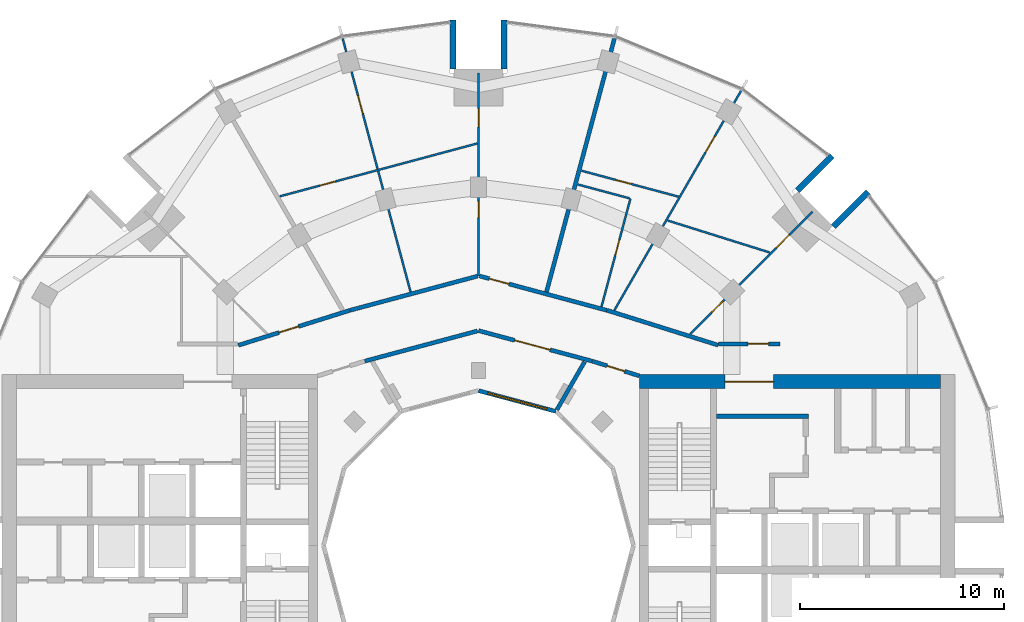
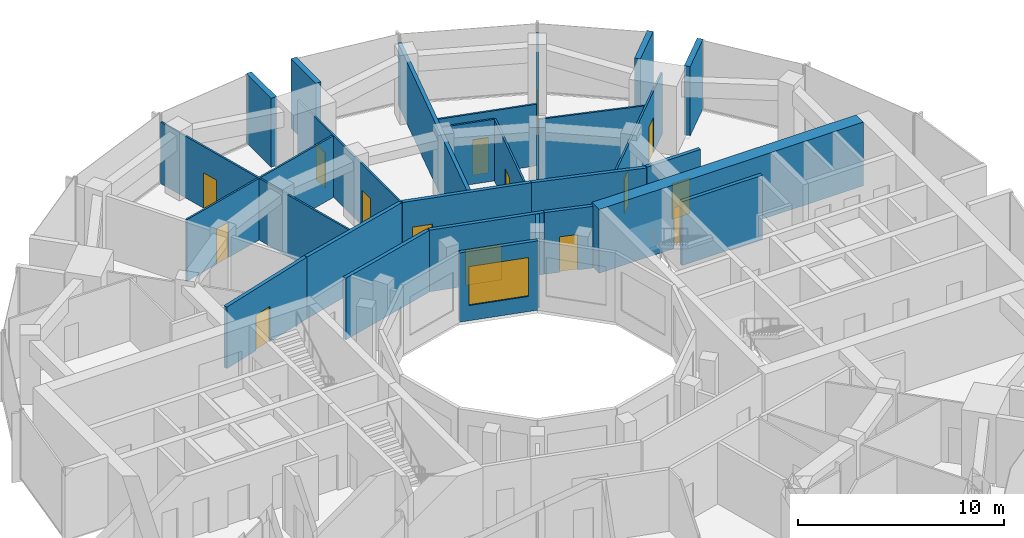
# One storey, part 12 of 15: 26 walls, 15 doors, 1 window, 16 openings.
"""IFC4 building model written with IfcOpenShell, lengths in metres."""

from ifc_helpers import new_model, si_unit, direction, frame, frame_2d, origin, place, context, subcontext, project, spatial, rectangle, extrude, material, layer, layer_set, type_object, element, fill, save


model = new_model("IFC4")

# Units and contexts
model_context = context("Model", 3, precision=1e-05, world=origin(), true_north=direction((0.0, 1.0)))
body_context = subcontext(model_context, "Body", "Model", "MODEL_VIEW")
ifc_project = project(units=[si_unit("LENGTHUNIT", "METRE"), si_unit("AREAUNIT", "SQUARE_METRE"), si_unit("VOLUMEUNIT", "CUBIC_METRE"), si_unit("PLANEANGLEUNIT", "RADIAN"), si_unit("MASSUNIT", "GRAM", prefix="KILO")], contexts=[model_context])

# Site, building, storey
site_placement = place(None, origin())
site = spatial("IfcSite", under=ifc_project, at=site_placement, CompositionType="ELEMENT")
building_placement = place(site_placement, origin())
building = spatial("IfcBuilding", under=site, at=building_placement, Name="Torre Brocal", CompositionType="ELEMENT")
storey_placement = place(building_placement, frame((0.0, 0.0, 178.199951171875)))
storey = spatial("IfcBuildingStorey", under=building, at=storey_placement, Name="L41", CompositionType="ELEMENT", Elevation=178.199951171875)

# Wall
ifc_material_1 = material(Name="Concrete C70", Category="concrete")
ifc_layer_1 = layer(ifc_material_1, 0.199951171875)
ifc_layer_set_1 = layer_set([ifc_layer_1], Name="Concrete C70")
wall_type_1 = type_object("IfcWallType", Name="CORE WALL 200 C70", PredefinedType="SHEAR", material=ifc_layer_set_1)
wall_1_placement = place(storey_placement, frame((91.699951171875, 81.35009765625, 0.0), z_axis=(0.0, 0.0, 1.0), x_axis=(1.0, 0.0, 0.0)))
element("IfcWall", 1, at=wall_1_placement, inside=storey, type_object=wall_type_1, Name="Wall CW200-70", PredefinedType="SHEAR", context=body_context, shape_type="SweptSolid", body=[
    extrude(rectangle(XDim=4.5, YDim=0.199951171875, at=frame_2d((2.25, 0.0))), origin(), (0.0, 0.0, 1.0), 3.780029296875),
])

# Wall, opening, door
ifc_material_2 = material(Name="Concrete C70", Category="concrete")
ifc_layer_2 = layer(ifc_material_2, 0.699951171875)
ifc_layer_set_2 = layer_set([ifc_layer_2], Name="Concrete C70")
wall_type_2 = type_object("IfcWallType", Name="CORE WALL 700 C70", PredefinedType="SHEAR", material=ifc_layer_set_2)
wall_2_placement = place(storey_placement, frame((87.89990234375, 83.050048828125, 0.0), z_axis=(0.0, 0.0, 1.0), x_axis=(1.0, 0.0, 0.0)))
wall_2 = element("IfcWall", 2, at=wall_2_placement, inside=storey, type_object=wall_type_2, Name="Wall CW700-70", PredefinedType="SHEAR", context=body_context, shape_type="SweptSolid", body=[
    extrude(rectangle(XDim=14.800048828125, YDim=0.699951171875, at=frame_2d((7.39990234375, 0.0))), origin(), (0.0, 0.0, 1.0), 3.780029296875),
])
opening_1_placement = place(wall_2_placement, frame((4.199951171875, 0.0, 0.0)))
opening_1 = element("IfcOpeningElement", 3, at=opening_1_placement, cuts=wall_2, Name="Opening E-D12", PredefinedType="OPENING", context=body_context, shape_type="SweptSolid", body=[
    extrude(rectangle(XDim=2.39990234375, YDim=2.39990234375, at=frame_2d((1.199951171875, 1.199951171875))), frame((0.0, 0.35986328125, 0.0), z_axis=(0.0, -1.0, 0.0), x_axis=(1.0, 0.0, 0.0)), (0.0, 0.0, 1.0), 0.719970703125),
])
ifc_material_3 = material(Name="Steel A653", Category="steel")
door_type_1 = type_object("IfcDoorType", Name="DOUBLE FIRE DOOR FD90 2400X2400", OperationType="DOUBLE_DOOR_SINGLE_SWING", PredefinedType="DOOR", material=ifc_material_3)
door_1_placement = place(opening_1_placement, frame((2.39990234375, 0.0, 0.0), z_axis=(0.0, 0.0, 1.0), x_axis=(-1.0, 0.0, 0.0)))
door_1 = element("IfcDoor", 4, at=door_1_placement, inside=storey, type_object=door_type_1, Name="Door E-D12", OperationType="DOUBLE_DOOR_SINGLE_SWING", OverallHeight=2.39990234375, OverallWidth=2.39990234375, PredefinedType="DOOR", context=body_context, shape_type="SweptSolid", body=[
    extrude(rectangle(XDim=2.39990234375, YDim=2.39990234375, at=frame_2d((1.199951171875, 1.199951171875))), frame((0.0, 0.02490234375, 0.0), z_axis=(0.0, -1.0, 0.0), x_axis=(1.0, 0.0, 0.0)), (0.0, 0.0, 1.0), 0.050048828125),
])
fill(opening_1, door_1)

# Walls
ifc_material_4 = material(Name="Concrete C70", Category="concrete")
ifc_layer_3 = layer(ifc_material_4, 0.300048828125)
ifc_layer_set_3 = layer_set([ifc_layer_3], Name="Concrete C70")
wall_type_3 = type_object("IfcWallType", Name="NOTCH RETURN WALL 300 C70", PredefinedType="NOTDEFINED", material=ifc_layer_set_3)
for number, where, z_axis, x_axis, name in (
    (5, (97.43017578125, 90.662353515625, 0.0), (0.0, 0.0, 1.0), (0.707106781187, 0.707106781187, 0.0), "NOTCH RETURN WALL"),
    (6, (95.662353515625, 92.43017578125, 0.0), (0.0, 0.0, 1.0), (0.707106781187, 0.707106781187, 0.0), "NOTCH RETURN WALL"),
    (7, (81.25, 98.39990234375, 0.0), (0.0, 0.0, 1.0), (0.0, 1.0, 0.0), "NOTCH RETURN WALL"),
    (8, (78.75, 98.39990234375, 0.0), (0.0, 0.0, 1.0), (0.0, 1.0, 0.0), "NOTCH RETURN WALL"),
):
    element("IfcWall", number, at=place(storey_placement, frame(where, z_axis=z_axis, x_axis=x_axis)), inside=storey, type_object=wall_type_3, Name=name, PredefinedType="NOTDEFINED", context=body_context, shape_type="SweptSolid", body=[
        extrude(rectangle(XDim=2.415771484375, YDim=0.300048828125, at=frame_2d((1.2080078125, 0.0))), origin(), (0.0, 0.0, 1.0), 4.10009765625),
    ])

# Wall, opening, door
ifc_material_5 = material(Name="Gypsum board", Category="Gypsum")
ifc_layer_4 = layer(ifc_material_5, 0.10009765625)
ifc_layer_set_4 = layer_set([ifc_layer_4], Name="Gypsum board")
wall_type_4 = type_object("IfcWallType", Name="PARTITION 100", PredefinedType="PARTITIONING", material=ifc_layer_set_4)
wall_3_placement = place(storey_placement, frame((70.23193359375, 92.15087890625, 0.0), z_axis=(0.0, 0.0, 1.0), x_axis=(0.965980126086, 0.258616310405, 0.0)))
wall_3 = element("IfcWall", 9, at=wall_3_placement, inside=storey, type_object=wall_type_4, Name="BATHROOM WALL", PredefinedType="PARTITIONING", context=body_context, shape_type="SweptSolid", body=[
    extrude(rectangle(XDim=10.052978515625, YDim=0.10009765625, at=frame_2d((5.0263671875, 0.0))), origin(), (0.0, 0.0, 1.0), 3.650146484375),
])
opening_2_placement = place(wall_3_placement, frame((2.0380859375, 0.0, 0.0)))
opening_2 = element("IfcOpeningElement", 10, at=opening_2_placement, cuts=wall_3, Name="Opening R02-D11", PredefinedType="OPENING", context=body_context, shape_type="SweptSolid", body=[
    extrude(rectangle(XDim=0.800048828125, YDim=2.10009765625, at=frame_2d((0.39990234375, 1.050048828125))), frame((0.0, 0.06005859375, 0.0), z_axis=(0.0, -1.0, 0.0), x_axis=(1.0, 0.0, 0.0)), (0.0, 0.0, 1.0), 0.1201171875),
])
ifc_material_6 = material(Name="Timber", Category="wood")
door_type_2 = type_object("IfcDoorType", Name="BATHROOM DOOR 800X2100", OperationType="SINGLE_SWING_LEFT", PredefinedType="DOOR", material=ifc_material_6)
door_2_placement = place(opening_2_placement, frame((0.800048828125, 0.0, 0.0), z_axis=(0.0, 0.0, 1.0), x_axis=(-1.0, 0.0, 0.0)))
door_2 = element("IfcDoor", 11, at=door_2_placement, inside=storey, type_object=door_type_2, Name="R02-D11", OperationType="SINGLE_SWING_RIGHT", OverallHeight=2.10009765625, OverallWidth=0.800048828125, PredefinedType="DOOR", context=body_context, shape_type="SweptSolid", body=[
    extrude(rectangle(XDim=0.800048828125, YDim=2.10009765625, at=frame_2d((0.39990234375, 1.050048828125))), frame((0.0, 0.02490234375, 0.0), z_axis=(0.0, -1.0, 0.0), x_axis=(1.0, 0.0, 0.0)), (0.0, 0.0, 1.0), 0.050048828125),
])
fill(opening_2, door_2)

wall_4_placement = place(storey_placement, frame((73.322998046875, 99.919189453125, 0.0), z_axis=(0.0, 0.0, 1.0), x_axis=(0.258768239436, -0.965939438194, 0.0)))
wall_4 = element("IfcWall", 12, at=wall_4_placement, inside=storey, type_object=wall_type_4, Name="BATHROOM WALL", PredefinedType="PARTITIONING", context=body_context, shape_type="SweptSolid", body=[
    extrude(rectangle(XDim=12.90380859375, YDim=0.10009765625, at=frame_2d((6.451904296875, 0.0))), origin(), (0.0, 0.0, 1.0), 3.650146484375),
])
opening_3_placement = place(wall_4_placement, frame((2.92724609375, 0.0, 0.0)))
opening_3 = element("IfcOpeningElement", 13, at=opening_3_placement, cuts=wall_4, Name="Opening R02-D10", PredefinedType="OPENING", context=body_context, shape_type="SweptSolid", body=[
    extrude(rectangle(XDim=0.89990234375, YDim=2.10009765625, at=frame_2d((0.449951171875, 1.050048828125))), frame((0.0, 0.06005859375, 0.0), z_axis=(0.0, -1.0, 0.0), x_axis=(1.0, 0.0, 0.0)), (0.0, 0.0, 1.0), 0.1201171875),
])
ifc_material_7 = material(Name="Timber", Category="wood")
door_type_3 = type_object("IfcDoorType", Name="ROOM DOOR 900X2100", OperationType="SINGLE_SWING_LEFT", PredefinedType="DOOR", material=ifc_material_7)
door_3_placement = place(opening_3_placement, origin())
door_3 = element("IfcDoor", 14, at=door_3_placement, inside=storey, type_object=door_type_3, Name="R02-D10", OperationType="SINGLE_SWING_LEFT", OverallHeight=2.10009765625, OverallWidth=0.89990234375, PredefinedType="DOOR", context=body_context, shape_type="SweptSolid", body=[
    extrude(rectangle(XDim=0.89990234375, YDim=2.10009765625, at=frame_2d((0.449951171875, 1.050048828125))), frame((0.0, 0.02490234375, 0.0), z_axis=(0.0, -1.0, 0.0), x_axis=(1.0, 0.0, 0.0)), (0.0, 0.0, 1.0), 0.050048828125),
])
fill(opening_3, door_3)

# Wall, openings, doors
wall_5_placement = place(storey_placement, frame((80.0, 88.24609375, 0.0), z_axis=(0.0, 0.0, 1.0), x_axis=(0.0, 1.0, 0.0)))
wall_5 = element("IfcWall", 15, at=wall_5_placement, inside=storey, type_object=wall_type_4, Name="BATHROOM WALL", PredefinedType="PARTITIONING", context=body_context, shape_type="SweptSolid", body=[
    extrude(rectangle(XDim=9.953857421875, YDim=0.10009765625, at=frame_2d((4.97705078125, 0.0))), origin(), (0.0, 0.0, 1.0), 3.650146484375),
])
opening_4_placement = place(wall_5_placement, frame((7.3134765625, 0.0, 0.0)))
opening_4 = element("IfcOpeningElement", 16, at=opening_4_placement, cuts=wall_5, Name="Opening R02-D08", PredefinedType="OPENING", context=body_context, shape_type="SweptSolid", body=[
    extrude(rectangle(XDim=0.89990234375, YDim=2.10009765625, at=frame_2d((0.449951171875, 1.050048828125))), frame((0.0, 0.06005859375, 0.0), z_axis=(0.0, -1.0, 0.0), x_axis=(1.0, 0.0, 0.0)), (0.0, 0.0, 1.0), 0.1201171875),
])
opening_5_placement = place(wall_5_placement, frame((2.861572265625, 0.0, 0.0)))
opening_5 = element("IfcOpeningElement", 17, at=opening_5_placement, cuts=wall_5, Name="Opening R02-D09", PredefinedType="OPENING", context=body_context, shape_type="SweptSolid", body=[
    extrude(rectangle(XDim=0.800048828125, YDim=2.10009765625, at=frame_2d((0.39990234375, 1.050048828125))), frame((0.0, 0.06005859375, 0.0), z_axis=(0.0, -1.0, 0.0), x_axis=(1.0, 0.0, 0.0)), (0.0, 0.0, 1.0), 0.1201171875),
])
door_4_placement = place(opening_5_placement, origin())
door_4 = element("IfcDoor", 18, at=door_4_placement, inside=storey, type_object=door_type_2, Name="R02-D09", OperationType="SINGLE_SWING_RIGHT", OverallHeight=2.10009765625, OverallWidth=0.800048828125, PredefinedType="DOOR", context=body_context, shape_type="SweptSolid", body=[
    extrude(rectangle(XDim=0.800048828125, YDim=2.10009765625, at=frame_2d((0.39990234375, 1.050048828125))), frame((0.0, 0.02490234375, 0.0), z_axis=(0.0, -1.0, 0.0), x_axis=(1.0, 0.0, 0.0)), (0.0, 0.0, 1.0), 0.050048828125),
])
fill(opening_5, door_4)
door_5_placement = place(opening_4_placement, origin())
door_5 = element("IfcDoor", 19, at=door_5_placement, inside=storey, type_object=door_type_3, Name="R02-D08", OperationType="SINGLE_SWING_LEFT", OverallHeight=2.10009765625, OverallWidth=0.89990234375, PredefinedType="DOOR", context=body_context, shape_type="SweptSolid", body=[
    extrude(rectangle(XDim=0.89990234375, YDim=2.10009765625, at=frame_2d((0.449951171875, 1.050048828125))), frame((0.0, 0.02490234375, 0.0), z_axis=(0.0, -1.0, 0.0), x_axis=(1.0, 0.0, 0.0)), (0.0, 0.0, 1.0), 0.050048828125),
])
fill(opening_4, door_5)

# Wall
wall_6_placement = place(storey_placement, frame((84.8671875, 92.738525390625, 0.0), z_axis=(0.0, 0.0, 1.0), x_axis=(0.96595176814, -0.25872220938, 0.0)))
element("IfcWall", 20, at=wall_6_placement, inside=storey, type_object=wall_type_4, Name="BATHROOM WALL", PredefinedType="PARTITIONING", context=body_context, shape_type="SweptSolid", body=[
    extrude(rectangle(XDim=2.638427734375, YDim=0.10009765625, at=frame_2d((1.3193359375, 0.0))), origin(), (0.0, 0.0, 1.0), 3.650146484375),
])

# Wall, opening, door
wall_7_placement = place(storey_placement, frame((85.04833984375, 93.41455078125, 0.0), z_axis=(0.0, 0.0, 1.0), x_axis=(0.965981309458, -0.258611890247, 0.0)))
wall_7 = element("IfcWall", 21, at=wall_7_placement, inside=storey, type_object=wall_type_4, Name="BATHROOM WALL", PredefinedType="PARTITIONING", context=body_context, shape_type="SweptSolid", body=[
    extrude(rectangle(XDim=4.94580078125, YDim=0.10009765625, at=frame_2d((2.472900390625, 0.0))), origin(), (0.0, 0.0, 1.0), 3.650146484375),
])
opening_6_placement = place(wall_7_placement, frame((1.748046875, 0.0, 0.0)))
opening_6 = element("IfcOpeningElement", 22, at=opening_6_placement, cuts=wall_7, Name="Opening R02-D06", PredefinedType="OPENING", context=body_context, shape_type="SweptSolid", body=[
    extrude(rectangle(XDim=0.800048828125, YDim=2.10009765625, at=frame_2d((0.39990234375, 1.050048828125))), frame((0.0, 0.06005859375, 0.0), z_axis=(0.0, -1.0, 0.0), x_axis=(1.0, 0.0, 0.0)), (0.0, 0.0, 1.0), 0.1201171875),
])
door_6_placement = place(opening_6_placement, origin())
door_6 = element("IfcDoor", 23, at=door_6_placement, inside=storey, type_object=door_type_2, Name="R02-D06", OperationType="SINGLE_SWING_LEFT", OverallHeight=2.10009765625, OverallWidth=0.800048828125, PredefinedType="DOOR", context=body_context, shape_type="SweptSolid", body=[
    extrude(rectangle(XDim=0.800048828125, YDim=2.10009765625, at=frame_2d((0.39990234375, 1.050048828125))), frame((0.0, 0.02490234375, 0.0), z_axis=(0.0, -1.0, 0.0), x_axis=(1.0, 0.0, 0.0)), (0.0, 0.0, 1.0), 0.050048828125),
])
fill(opening_6, door_6)

wall_8_placement = place(storey_placement, frame((86.0419921875, 86.730712890625, 0.0), z_axis=(0.0, 0.0, 1.0), x_axis=(0.258599239637, 0.965984696183, 0.0)))
wall_8 = element("IfcWall", 24, at=wall_8_placement, inside=storey, type_object=wall_type_4, Name="BATHROOM WALL", PredefinedType="PARTITIONING", context=body_context, shape_type="SweptSolid", body=[
    extrude(rectangle(XDim=5.499267578125, YDim=0.10009765625, at=frame_2d((2.74951171875, 0.0))), origin(), (0.0, 0.0, 1.0), 3.650146484375),
])
opening_7_placement = place(wall_8_placement, frame((2.599609375, 0.0, 0.0)))
opening_7 = element("IfcOpeningElement", 25, at=opening_7_placement, cuts=wall_8, Name="Opening R02-D05", PredefinedType="OPENING", context=body_context, shape_type="SweptSolid", body=[
    extrude(rectangle(XDim=0.800048828125, YDim=2.10009765625, at=frame_2d((0.39990234375, 1.050048828125))), frame((0.0, 0.06005859375, 0.0), z_axis=(0.0, -1.0, 0.0), x_axis=(1.0, 0.0, 0.0)), (0.0, 0.0, 1.0), 0.1201171875),
])
door_7_placement = place(opening_7_placement, origin())
door_7 = element("IfcDoor", 26, at=door_7_placement, inside=storey, type_object=door_type_2, Name="R02-D05", OperationType="SINGLE_SWING_RIGHT", OverallHeight=2.10009765625, OverallWidth=0.800048828125, PredefinedType="DOOR", context=body_context, shape_type="SweptSolid", body=[
    extrude(rectangle(XDim=0.800048828125, YDim=2.10009765625, at=frame_2d((0.39990234375, 1.050048828125))), frame((0.0, 0.02490234375, 0.0), z_axis=(0.0, -1.0, 0.0), x_axis=(1.0, 0.0, 0.0)), (0.0, 0.0, 1.0), 0.050048828125),
])
fill(opening_7, door_7)

wall_9_placement = place(storey_placement, frame((86.671875, 86.5537109375, 0.0), z_axis=(0.0, 0.0, 1.0), x_axis=(0.500043115992, 0.866000509324, 0.0)))
wall_9 = element("IfcWall", 27, at=wall_9_placement, inside=storey, type_object=wall_type_4, Name="BATHROOM WALL", PredefinedType="PARTITIONING", context=body_context, shape_type="SweptSolid", body=[
    extrude(rectangle(XDim=12.4560546875, YDim=0.10009765625, at=frame_2d((6.22802734375, 0.0))), origin(), (0.0, 0.0, 1.0), 3.650146484375),
])
opening_8_placement = place(wall_9_placement, frame((8.955810546875, 0.0, 0.0)))
opening_8 = element("IfcOpeningElement", 28, at=opening_8_placement, cuts=wall_9, Name="Opening R02-D04", PredefinedType="OPENING", context=body_context, shape_type="SweptSolid", body=[
    extrude(rectangle(XDim=0.89990234375, YDim=2.10009765625, at=frame_2d((0.449951171875, 1.050048828125))), frame((0.0, 0.06005859375, 0.0), z_axis=(0.0, -1.0, 0.0), x_axis=(1.0, 0.0, 0.0)), (0.0, 0.0, 1.0), 0.1201171875),
])
door_8_placement = place(opening_8_placement, frame((0.89990234375, 0.0, 0.0), z_axis=(0.0, 0.0, 1.0), x_axis=(-1.0, 0.0, 0.0)))
door_8 = element("IfcDoor", 29, at=door_8_placement, inside=storey, type_object=door_type_3, Name="R02-D04", OperationType="SINGLE_SWING_LEFT", OverallHeight=2.10009765625, OverallWidth=0.89990234375, PredefinedType="DOOR", context=body_context, shape_type="SweptSolid", body=[
    extrude(rectangle(XDim=0.89990234375, YDim=2.10009765625, at=frame_2d((0.449951171875, 1.050048828125))), frame((0.0, 0.02490234375, 0.0), z_axis=(0.0, -1.0, 0.0), x_axis=(1.0, 0.0, 0.0)), (0.0, 0.0, 1.0), 0.050048828125),
])
fill(opening_8, door_8)

# Wall
wall_10_placement = place(storey_placement, frame((89.286376953125, 90.967041015625, 0.0), z_axis=(0.0, 0.0, 1.0), x_axis=(0.954193783918, -0.299189275763, 0.0)))
element("IfcWall", 30, at=wall_10_placement, inside=storey, type_object=wall_type_4, Name="BATHROOM WALL", PredefinedType="PARTITIONING", context=body_context, shape_type="SweptSolid", body=[
    extrude(rectangle(XDim=5.260009765625, YDim=0.10009765625, at=frame_2d((2.6298828125, 0.0))), origin(), (0.0, 0.0, 1.0), 3.650146484375),
])

# Wall, openings, doors
wall_11_placement = place(storey_placement, frame((90.396484375, 85.393310546875, 0.0), z_axis=(0.0, 0.0, 1.0), x_axis=(0.707279106146, 0.706934414221, 0.0)))
wall_11 = element("IfcWall", 31, at=wall_11_placement, inside=storey, type_object=wall_type_4, Name="BATHROOM WALL", PredefinedType="PARTITIONING", context=body_context, shape_type="SweptSolid", body=[
    extrude(rectangle(XDim=8.49951171875, YDim=0.10009765625, at=frame_2d((4.249755859375, 0.0))), origin(), (0.0, 0.0, 1.0), 3.650146484375),
])
opening_9_placement = place(wall_11_placement, frame((5.9755859375, 0.0, 0.0)))
opening_9 = element("IfcOpeningElement", 32, at=opening_9_placement, cuts=wall_11, Name="Opening R02-D02", PredefinedType="OPENING", context=body_context, shape_type="SweptSolid", body=[
    extrude(rectangle(XDim=0.89990234375, YDim=2.10009765625, at=frame_2d((0.449951171875, 1.050048828125))), frame((0.0, 0.06005859375, 0.0), z_axis=(0.0, -1.0, 0.0), x_axis=(1.0, 0.0, 0.0)), (0.0, 0.0, 1.0), 0.1201171875),
])
opening_10_placement = place(wall_11_placement, frame((1.467041015625, 0.0, 0.0)))
opening_10 = element("IfcOpeningElement", 33, at=opening_10_placement, cuts=wall_11, Name="Opening R02-D03", PredefinedType="OPENING", context=body_context, shape_type="SweptSolid", body=[
    extrude(rectangle(XDim=0.800048828125, YDim=2.10009765625, at=frame_2d((0.39990234375, 1.050048828125))), frame((0.0, 0.06005859375, 0.0), z_axis=(0.0, -1.0, 0.0), x_axis=(1.0, 0.0, 0.0)), (0.0, 0.0, 1.0), 0.1201171875),
])
door_9_placement = place(opening_10_placement, origin())
door_9 = element("IfcDoor", 34, at=door_9_placement, inside=storey, type_object=door_type_2, Name="R02-D03", OperationType="SINGLE_SWING_LEFT", OverallHeight=2.10009765625, OverallWidth=0.800048828125, PredefinedType="DOOR", context=body_context, shape_type="SweptSolid", body=[
    extrude(rectangle(XDim=0.800048828125, YDim=2.10009765625, at=frame_2d((0.39990234375, 1.050048828125))), frame((0.0, 0.02490234375, 0.0), z_axis=(0.0, -1.0, 0.0), x_axis=(1.0, 0.0, 0.0)), (0.0, 0.0, 1.0), 0.050048828125),
])
fill(opening_10, door_9)
door_10_placement = place(opening_9_placement, frame((0.89990234375, 0.0, 0.0), z_axis=(0.0, 0.0, 1.0), x_axis=(-1.0, 0.0, 0.0)))
door_10 = element("IfcDoor", 35, at=door_10_placement, inside=storey, type_object=door_type_3, Name="R02-D02", OperationType="SINGLE_SWING_LEFT", OverallHeight=2.10009765625, OverallWidth=0.89990234375, PredefinedType="DOOR", context=body_context, shape_type="SweptSolid", body=[
    extrude(rectangle(XDim=0.89990234375, YDim=2.10009765625, at=frame_2d((0.449951171875, 1.050048828125))), frame((0.0, 0.02490234375, 0.0), z_axis=(0.0, -1.0, 0.0), x_axis=(1.0, 0.0, 0.0)), (0.0, 0.0, 1.0), 0.050048828125),
])
fill(opening_9, door_10)

# Wall, opening, door
ifc_material_8 = material(Name="Gypsum board", Category="Gypsum")
ifc_layer_5 = layer(ifc_material_8, 0.199951171875)
ifc_layer_set_5 = layer_set([ifc_layer_5], Name="Gypsum board")
wall_type_5 = type_object("IfcWallType", Name="PARTITION 200 EI60", PredefinedType="PARTITIONING", material=ifc_layer_set_5)
wall_12_placement = place(storey_placement, frame((68.199951171875, 84.833251953125, 0.0), z_axis=(0.0, 0.0, 1.0), x_axis=(0.954191968402, 0.299195065863, 0.0)))
wall_12 = element("IfcWall", 36, at=wall_12_placement, inside=storey, type_object=wall_type_5, Name="FLAT ENTRANCE WALL", PredefinedType="PARTITIONING", context=body_context, shape_type="SweptSolid", body=[
    extrude(rectangle(XDim=5.740478515625, YDim=0.199951171875, at=frame_2d((2.8701171875, 0.0))), origin(), (0.0, 0.0, 1.0), 3.650146484375),
])
opening_11_placement = place(wall_12_placement, frame((2.096923828125, 0.0, 0.0)))
opening_11 = element("IfcOpeningElement", 37, at=opening_11_placement, cuts=wall_12, Name="Opening R02-D12", PredefinedType="OPENING", context=body_context, shape_type="SweptSolid", body=[
    extrude(rectangle(XDim=1.0, YDim=2.10009765625, at=frame_2d((0.5, 1.050048828125))), frame((0.0, 0.10986328125, 0.0), z_axis=(0.0, -1.0, 0.0), x_axis=(1.0, 0.0, 0.0)), (0.0, 0.0, 1.0), 0.219970703125),
])
ifc_material_9 = material(Name="Timber", Category="wood")
door_type_4 = type_object("IfcDoorType", Name="FLAT ENTRY DOOR FD30S 1000X2100", OperationType="SINGLE_SWING_RIGHT", PredefinedType="DOOR", material=ifc_material_9)
door_11_placement = place(opening_11_placement, origin())
door_11 = element("IfcDoor", 38, at=door_11_placement, inside=storey, type_object=door_type_4, Name="R02-D12", OperationType="SINGLE_SWING_LEFT", OverallHeight=2.10009765625, OverallWidth=1.0, PredefinedType="DOOR", context=body_context, shape_type="SweptSolid", body=[
    extrude(rectangle(XDim=1.0, YDim=2.10009765625, at=frame_2d((0.5, 1.050048828125))), frame((0.0, 0.02490234375, 0.0), z_axis=(0.0, -1.0, 0.0), x_axis=(1.0, 0.0, 0.0)), (0.0, 0.0, 1.0), 0.050048828125),
])
fill(opening_11, door_11)

# Walls
wall_13_placement = place(storey_placement, frame((73.68701171875, 86.55419921875, 0.0), z_axis=(0.0, 0.0, 1.0), x_axis=(0.96595928904, 0.258694128106, 0.0)))
element("IfcWall", 39, at=wall_13_placement, inside=storey, type_object=wall_type_5, Name="GUESTROOM CORRIDOR WALL", PredefinedType="PARTITIONING", context=body_context, shape_type="SweptSolid", body=[
    extrude(rectangle(XDim=6.495849609375, YDim=0.199951171875, at=frame_2d((3.248046875, 0.0))), origin(), (0.0, 0.0, 1.0), 3.650146484375),
])
wall_14_placement = place(storey_placement, frame((74.412841796875, 84.05712890625, 0.0), z_axis=(0.0, 0.0, 1.0), x_axis=(0.965970849692, 0.258650956976, 0.0)))
element("IfcWall", 40, at=wall_14_placement, inside=storey, type_object=wall_type_5, Name="CORRIDOR WALL", PredefinedType="PARTITIONING", context=body_context, shape_type="SweptSolid", body=[
    extrude(rectangle(XDim=5.734130859375, YDim=0.199951171875, at=frame_2d((2.8671875, 0.0))), origin(), (0.0, 0.0, 1.0), 3.650146484375),
])

# Wall, opening, door
wall_15_placement = place(storey_placement, frame((80.0, 85.55419921875, 0.0), z_axis=(0.0, 0.0, 1.0), x_axis=(0.965894438951, -0.258936155845, 0.0)))
wall_15 = element("IfcWall", 41, at=wall_15_placement, inside=storey, type_object=wall_type_5, Name="CORRIDOR WALL", PredefinedType="PARTITIONING", context=body_context, shape_type="SweptSolid", body=[
    extrude(rectangle(XDim=5.774169921875, YDim=0.199951171875, at=frame_2d((2.88720703125, 0.0))), origin(), (0.0, 0.0, 1.0), 3.650146484375),
])
opening_12_placement = place(wall_15_placement, frame((1.84130859375, 0.0, 0.0)))
opening_12 = element("IfcOpeningElement", 42, at=opening_12_placement, cuts=wall_15, Name="Opening R02-D17", PredefinedType="OPENING", context=body_context, shape_type="SweptSolid", body=[
    extrude(rectangle(XDim=1.800048828125, YDim=2.10009765625, at=frame_2d((0.89990234375, 1.050048828125))), frame((0.0, 0.10986328125, 0.0), z_axis=(0.0, -1.0, 0.0), x_axis=(1.0, 0.0, 0.0)), (0.0, 0.0, 1.0), 0.219970703125),
])
ifc_material_10 = material(Name="Timber", Category="wood")
door_type_5 = type_object("IfcDoorType", Name="DOUBLE DOOR 1800X2100", OperationType="DOUBLE_DOOR_SINGLE_SWING", PredefinedType="DOOR", material=ifc_material_10)
door_12_placement = place(opening_12_placement, frame((1.800048828125, 0.0, 0.0), z_axis=(0.0, 0.0, 1.0), x_axis=(-1.0, 0.0, 0.0)))
door_12 = element("IfcDoor", 43, at=door_12_placement, inside=storey, type_object=door_type_5, Name="R02-D17", OperationType="DOUBLE_DOOR_SINGLE_SWING", OverallHeight=2.10009765625, OverallWidth=1.800048828125, PredefinedType="DOOR", context=body_context, shape_type="SweptSolid", body=[
    extrude(rectangle(XDim=1.800048828125, YDim=2.10009765625, at=frame_2d((0.89990234375, 1.050048828125))), frame((0.0, 0.02490234375, 0.0), z_axis=(0.0, -1.0, 0.0), x_axis=(1.0, 0.0, 0.0)), (0.0, 0.0, 1.0), 0.050048828125),
])
fill(opening_12, door_12)

wall_16_placement = place(storey_placement, frame((80.04931640625, 88.237060546875, 0.0), z_axis=(0.0, 0.0, 1.0), x_axis=(0.965582990495, -0.260095152718, 0.0)))
wall_16 = element("IfcWall", 44, at=wall_16_placement, inside=storey, type_object=wall_type_5, Name="FLAT ENTRANCE WALL", PredefinedType="PARTITIONING", context=body_context, shape_type="SweptSolid", body=[
    extrude(rectangle(XDim=6.475830078125, YDim=0.199951171875, at=frame_2d((3.23779296875, 0.0))), origin(), (0.0, 0.0, 1.0), 3.650146484375),
])
opening_13_placement = place(wall_16_placement, frame((0.5, 0.0, 0.0)))
opening_13 = element("IfcOpeningElement", 45, at=opening_13_placement, cuts=wall_16, Name="Opening R02-D07", PredefinedType="OPENING", context=body_context, shape_type="SweptSolid", body=[
    extrude(rectangle(XDim=1.0, YDim=2.10009765625, at=frame_2d((0.5, 1.050048828125))), frame((0.0, 0.10986328125, 0.0), z_axis=(0.0, -1.0, 0.0), x_axis=(1.0, 0.0, 0.0)), (0.0, 0.0, 1.0), 0.219970703125),
])
door_13_placement = place(opening_13_placement, origin())
door_13 = element("IfcDoor", 46, at=door_13_placement, inside=storey, type_object=door_type_4, Name="R02-D07", OperationType="SINGLE_SWING_LEFT", OverallHeight=2.10009765625, OverallWidth=1.0, PredefinedType="DOOR", context=body_context, shape_type="SweptSolid", body=[
    extrude(rectangle(XDim=1.0, YDim=2.10009765625, at=frame_2d((0.5, 1.050048828125))), frame((0.0, 0.02490234375, 0.0), z_axis=(0.0, -1.0, 0.0), x_axis=(1.0, 0.0, 0.0)), (0.0, 0.0, 1.0), 0.050048828125),
])
fill(opening_13, door_13)

# Walls
wall_17_placement = place(storey_placement, frame((83.33935546875, 87.45458984375, 0.0), z_axis=(0.0, 0.0, 1.0), x_axis=(0.258941302036, 0.96589305935, 0.0)))
element("IfcWall", 47, at=wall_17_placement, inside=storey, type_object=wall_type_5, Name="BATHROOM WALL", PredefinedType="PARTITIONING", context=body_context, shape_type="SweptSolid", body=[
    extrude(rectangle(XDim=12.90380859375, YDim=0.199951171875, at=frame_2d((6.451904296875, 0.0))), origin(), (0.0, 0.0, 1.0), 3.650146484375),
])
wall_18_placement = place(storey_placement, frame((83.850830078125, 81.667236328125, 0.0), z_axis=(0.0, 0.0, 1.0), x_axis=(0.500099931433, 0.865967700657, 0.0)))
element("IfcWall", 48, at=wall_18_placement, inside=storey, type_object=wall_type_5, Name="PARTY PARTITION", PredefinedType="PARTITIONING", context=body_context, shape_type="SweptSolid", body=[
    extrude(rectangle(XDim=2.724609375, YDim=0.199951171875, at=frame_2d((1.3623046875, 0.0))), origin(), (0.0, 0.0, 1.0), 3.650146484375),
])

# Wall, opening, door
wall_19_placement = place(storey_placement, frame((85.5869140625, 84.056884765625, 0.0), z_axis=(0.0, 0.0, 1.0), x_axis=(0.954239513179, -0.299043393987, 0.0)))
wall_19 = element("IfcWall", 49, at=wall_19_placement, inside=storey, type_object=wall_type_5, Name="CORRIDOR WALL", PredefinedType="PARTITIONING", context=body_context, shape_type="SweptSolid", body=[
    extrude(rectangle(XDim=2.423828125, YDim=0.199951171875, at=frame_2d((1.2119140625, 0.0))), origin(), (0.0, 0.0, 1.0), 3.650146484375),
])
opening_14_placement = place(wall_19_placement, frame((0.761962890625, 0.0, 0.0)))
opening_14 = element("IfcOpeningElement", 50, at=opening_14_placement, cuts=wall_19, Name="Opening R02-D16", PredefinedType="OPENING", context=body_context, shape_type="SweptSolid", body=[
    extrude(rectangle(XDim=0.89990234375, YDim=2.10009765625, at=frame_2d((0.449951171875, 1.050048828125))), frame((0.0, 0.10986328125, 0.0), z_axis=(0.0, -1.0, 0.0), x_axis=(1.0, 0.0, 0.0)), (0.0, 0.0, 1.0), 0.219970703125),
])
door_14_placement = place(opening_14_placement, frame((0.89990234375, 0.0, 0.0), z_axis=(0.0, 0.0, 1.0), x_axis=(-1.0, 0.0, 0.0)))
door_14 = element("IfcDoor", 51, at=door_14_placement, inside=storey, type_object=door_type_3, Name="R02-D16", OperationType="SINGLE_SWING_LEFT", OverallHeight=2.10009765625, OverallWidth=0.89990234375, PredefinedType="DOOR", context=body_context, shape_type="SweptSolid", body=[
    extrude(rectangle(XDim=0.89990234375, YDim=2.10009765625, at=frame_2d((0.449951171875, 1.050048828125))), frame((0.0, 0.02490234375, 0.0), z_axis=(0.0, -1.0, 0.0), x_axis=(1.0, 0.0, 0.0)), (0.0, 0.0, 1.0), 0.050048828125),
])
fill(opening_14, door_14)

# Wall
wall_20_placement = place(storey_placement, frame((86.31298828125, 86.554443359375, 0.0), z_axis=(0.0, 0.0, 1.0), x_axis=(0.954081217458, -0.299548043717, 0.0)))
element("IfcWall", 52, at=wall_20_placement, inside=storey, type_object=wall_type_5, Name="FLAT ENTRANCE WALL", PredefinedType="PARTITIONING", context=body_context, shape_type="SweptSolid", body=[
    extrude(rectangle(XDim=5.720703125, YDim=0.199951171875, at=frame_2d((2.8603515625, 0.0))), origin(), (0.0, 0.0, 1.0), 3.650146484375),
])

# Wall, opening, door
wall_21_placement = place(storey_placement, frame((91.800048828125, 84.89990234375, 0.0), z_axis=(0.0, 0.0, 1.0), x_axis=(1.0, 0.0, 0.0)))
wall_21 = element("IfcWall", 53, at=wall_21_placement, inside=storey, type_object=wall_type_5, Name="FLAT ENTRANCE WALL", PredefinedType="PARTITIONING", context=body_context, shape_type="SweptSolid", body=[
    extrude(rectangle(XDim=3.0, YDim=0.199951171875, at=frame_2d((1.5, 0.0))), origin(), (0.0, 0.0, 1.0), 3.650146484375),
])
opening_15_placement = place(wall_21_placement, frame((1.449951171875, 0.0, 0.0)))
opening_15 = element("IfcOpeningElement", 54, at=opening_15_placement, cuts=wall_21, Name="Opening R02-D01", PredefinedType="OPENING", context=body_context, shape_type="SweptSolid", body=[
    extrude(rectangle(XDim=1.0, YDim=2.10009765625, at=frame_2d((0.5, 1.050048828125))), frame((0.0, 0.10986328125, 0.0), z_axis=(0.0, -1.0, 0.0), x_axis=(1.0, 0.0, 0.0)), (0.0, 0.0, 1.0), 0.219970703125),
])
door_15_placement = place(opening_15_placement, origin())
door_15 = element("IfcDoor", 55, at=door_15_placement, inside=storey, type_object=door_type_4, Name="R02-D01", OperationType="SINGLE_SWING_LEFT", OverallHeight=2.10009765625, OverallWidth=1.0, PredefinedType="DOOR", context=body_context, shape_type="SweptSolid", body=[
    extrude(rectangle(XDim=1.0, YDim=2.10009765625, at=frame_2d((0.5, 1.050048828125))), frame((0.0, 0.02490234375, 0.0), z_axis=(0.0, -1.0, 0.0), x_axis=(1.0, 0.0, 0.0)), (0.0, 0.0, 1.0), 0.050048828125),
])
fill(opening_15, door_15)

# Wall, opening, window
ifc_material_11 = material(Name="Concrete C40", Category="concrete")
ifc_layer_6 = layer(ifc_material_11, 0.199951171875)
ifc_layer_set_6 = layer_set([ifc_layer_6], Name="Concrete C40")
wall_type_6 = type_object("IfcWallType", Name="WELL FACADE WALL 200", PredefinedType="NOTDEFINED", material=ifc_layer_set_6)
wall_22_placement = place(storey_placement, frame((83.8017578125, 81.5849609375, 0.0), z_axis=(0.0, 0.0, 1.0), x_axis=(-0.965933654434, 0.258789828301, 0.0)))
wall_22 = element("IfcWall", 56, at=wall_22_placement, inside=storey, type_object=wall_type_6, Name="WELL FACADE WALL", PredefinedType="NOTDEFINED", context=body_context, shape_type="SweptSolid", body=[
    extrude(rectangle(XDim=3.935791015625, YDim=0.199951171875, at=frame_2d((1.9677734375, 0.0))), origin(), (0.0, 0.0, 1.0), 4.10009765625),
])
opening_16_placement = place(wall_22_placement, frame((0.468017578125, 0.0, 0.89990234375)))
opening_16 = element("IfcOpeningElement", 57, at=opening_16_placement, cuts=wall_22, Name="Opening W1", PredefinedType="OPENING", context=body_context, shape_type="SweptSolid", body=[
    extrude(rectangle(XDim=3.0, YDim=2.300048828125, at=frame_2d((1.5, 1.14990234375))), frame((0.0, 0.10986328125, 0.0), z_axis=(0.0, -1.0, 0.0), x_axis=(1.0, 0.0, 0.0)), (0.0, 0.0, 1.0), 0.219970703125),
])
ifc_material_12 = material(Name="Aluminium and glass", Category="aluminium")
window_type = type_object("IfcWindowType", Name="WELL WINDOW 3000X2300", PartitioningType="SINGLE_PANEL", PredefinedType="WINDOW", material=ifc_material_12)
window_placement = place(opening_16_placement, origin())
window = element("IfcWindow", 58, at=window_placement, inside=storey, type_object=window_type, Name="WELL WINDOW 3000X2300", OverallHeight=2.300048828125, OverallWidth=3.0, PartitioningType="SINGLE_PANEL", PredefinedType="WINDOW", context=body_context, shape_type="SweptSolid", body=[
    extrude(rectangle(XDim=3.0, YDim=2.300048828125, at=frame_2d((1.5, 1.14990234375))), frame((0.0, 0.030029296875, 0.0), z_axis=(0.0, -1.0, 0.0), x_axis=(1.0, 0.0, 0.0)), (0.0, 0.0, 1.0), 0.06005859375),
])
fill(opening_16, window)

save(model, "model.ifc")
